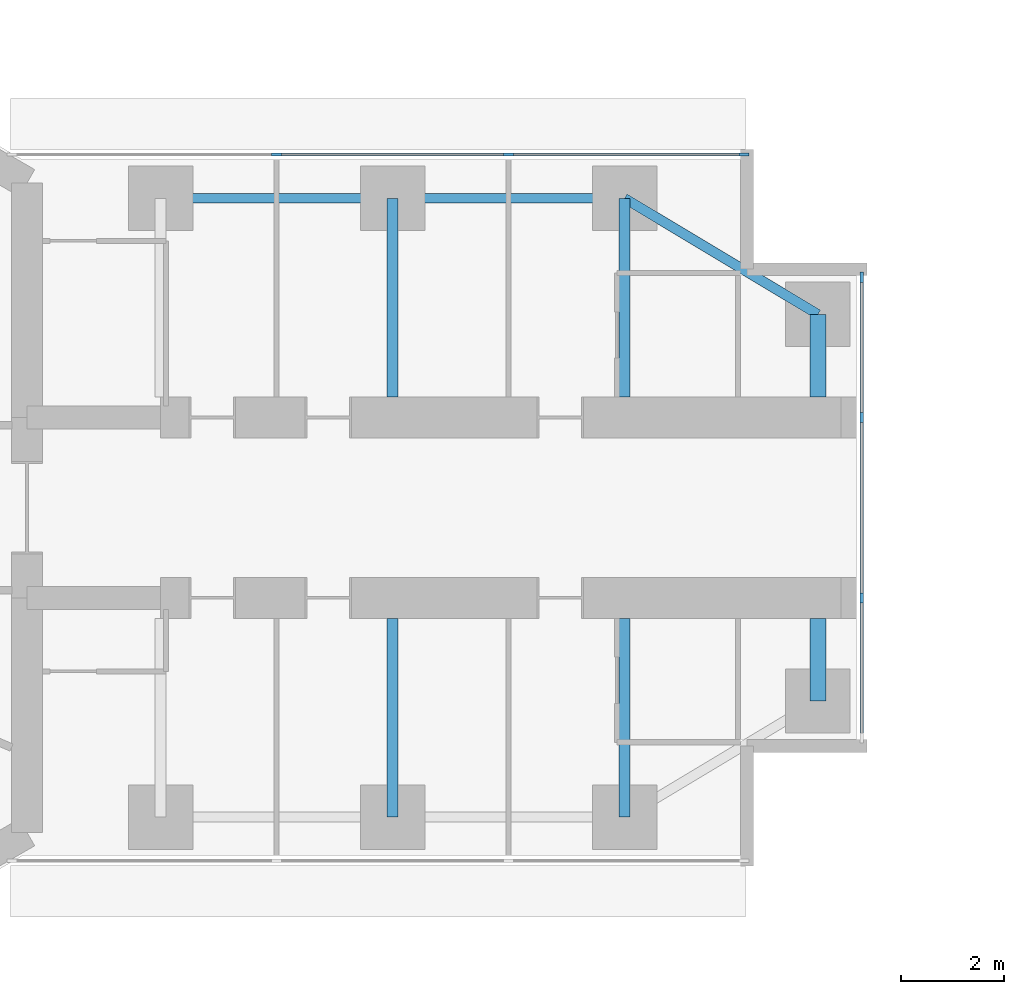
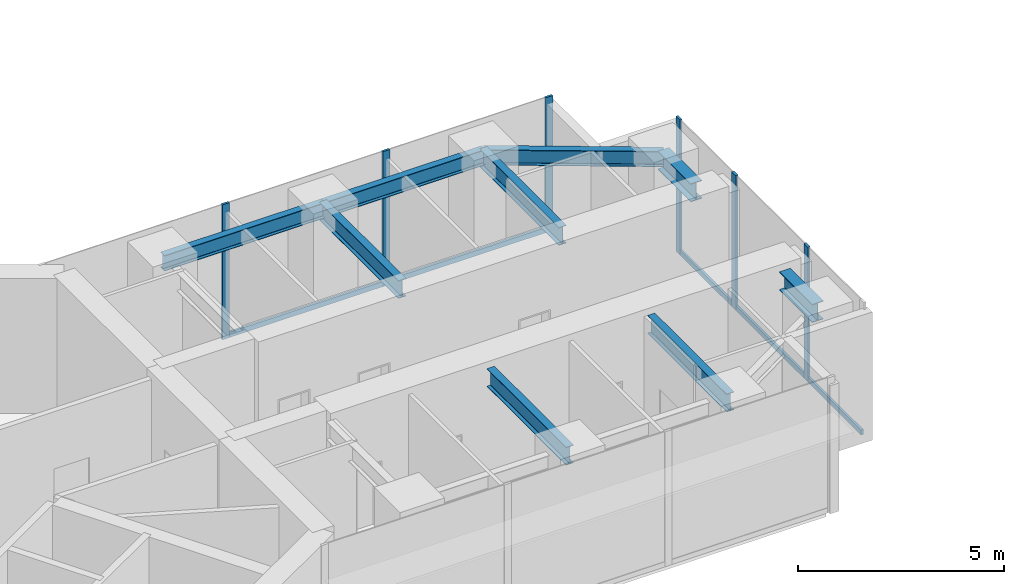
# One storey, part 7 of 23: 11 members, 9 beams, 2 elements without a shape of their own.
"""IFC4 building model written with IfcOpenShell, lengths in metres."""

from ifc_helpers import new_model, si_unit, direction, frame, origin, origin_2d, place, context, subcontext, project, spatial, rectangle, i_section, extrude, material, material_profile, profile_set, type_object, element, aggregate, save


model = new_model("IFC4")

# Units and contexts
model_context = context("Model", 3, precision=1e-05, world=origin(), true_north=direction((0.0, 1.0)))
body_context = subcontext(model_context, "Body", "Model", "MODEL_VIEW")
ifc_project = project(units=[si_unit("LENGTHUNIT", "METRE"), si_unit("AREAUNIT", "SQUARE_METRE"), si_unit("VOLUMEUNIT", "CUBIC_METRE"), si_unit("PLANEANGLEUNIT", "RADIAN"), si_unit("MASSUNIT", "GRAM", prefix="KILO")], contexts=[model_context])

# Site, building, storey
site_placement = place(None, origin())
site = spatial("IfcSite", under=ifc_project, at=site_placement, CompositionType="ELEMENT")
building_placement = place(site_placement, origin())
building = spatial("IfcBuilding", under=site, at=building_placement, Name="Upepo Twin Towers", CompositionType="ELEMENT")
storey_placement = place(building_placement, frame((0.0, 0.0, 145.5)))
storey = spatial("IfcBuildingStorey", under=building, at=storey_placement, Name="L35", CompositionType="ELEMENT", Elevation=145.5)

# Beams
ifc_material_1 = material(Name="Steel S355", Category="steel")
ifc_material_profile_1 = material_profile(ifc_material_1, i_section(OverallWidth=0.1904296875, OverallDepth=0.45703125, WebThickness=0.009033203125, FlangeThickness=0.014404296875, FilletRadius=0.01025390625, at=origin_2d()), Name="UB 457x191x74")
ifc_profile_set_1 = profile_set([ifc_material_profile_1], Name="Steel S355")
beam_type_1 = type_object("IfcBeamType", Name="Beam UB 457x191x74", PredefinedType="BEAM", material=ifc_profile_set_1)
for number, where, z_axis, x_axis, name in (
    (1, (13.5, 6.0, 3.571533203125), (1.0, 0.0, 0.0), (0.0, 1.0, 0.0), "T1 edge beam AL 13.5-18.0"),
    (2, (18.0, 6.0, 3.571533203125), (1.0, 0.0, 0.0), (0.0, 1.0, 0.0), "T1 edge beam AL 18.0-22.5"),
):
    element("IfcBeam", number, at=place(storey_placement, frame(where, z_axis=z_axis, x_axis=x_axis)), inside=storey, type_object=beam_type_1, Name=name, PredefinedType="BEAM", context=body_context, shape_type="SweptSolid", body=[
        extrude(i_section(OverallWidth=0.1904296875, OverallDepth=0.45703125, WebThickness=0.009033203125, FlangeThickness=0.014404296875, FilletRadius=0.01025390625, at=origin_2d()), origin(), (0.0, 0.0, 1.0), 4.5),
    ])
beam_placement = place(storey_placement, frame((22.5, 6.0, 3.571533203125), z_axis=(0.857492925713, -0.514495755428, 0.0), x_axis=(0.514495755428, 0.857492925713, 0.0)))
element("IfcBeam", 3, at=beam_placement, inside=storey, type_object=beam_type_1, Name="T1 nose edge beam AL", PredefinedType="BEAM", context=body_context, shape_type="SweptSolid", body=[
    extrude(i_section(OverallWidth=0.1904296875, OverallDepth=0.45703125, WebThickness=0.009033203125, FlangeThickness=0.014404296875, FilletRadius=0.01025390625, at=origin_2d()), origin(), (0.0, 0.0, 1.0), 4.373291015625),
])
ifc_material_2 = material(Name="Steel S355", Category="steel")
ifc_material_profile_2 = material_profile(ifc_material_2, i_section(OverallWidth=0.209228515625, OverallDepth=0.533203125, WebThickness=0.010009765625, FlangeThickness=0.015625, FilletRadius=0.0126953125, at=origin_2d()), Name="UB 533x210x92")
ifc_profile_set_2 = profile_set([ifc_material_profile_2], Name="Steel S355")
beam_type_2 = type_object("IfcBeamType", Name="Beam UB 533x210x92", PredefinedType="BEAM", material=ifc_profile_set_2)
for number, where, z_axis, x_axis, name in (
    (4, (18.0, 6.0, 3.533447265625), (0.0, -1.0, 0.0), (1.0, 0.0, 0.0), "T1 girder AL at 18.0"),
    (5, (22.5, 6.0, 3.533447265625), (0.0, -1.0, 0.0), (1.0, 0.0, 0.0), "T1 girder AL at 22.5"),
    (6, (18.0, -6.0, 3.533447265625), (0.0, 1.0, 0.0), (-1.0, 0.0, 0.0), "T1 girder AR at 18.0"),
    (7, (22.5, -6.0, 3.533447265625), (0.0, 1.0, 0.0), (-1.0, 0.0, 0.0), "T1 girder AR at 22.5"),
):
    element("IfcBeam", number, at=place(storey_placement, frame(where, z_axis=z_axis, x_axis=x_axis)), inside=storey, type_object=beam_type_2, Name=name, PredefinedType="BEAM", context=body_context, shape_type="SweptSolid", body=[
        extrude(i_section(OverallWidth=0.209228515625, OverallDepth=0.533203125, WebThickness=0.010009765625, FlangeThickness=0.015625, FilletRadius=0.0126953125, at=origin_2d()), origin(), (0.0, 0.0, 1.0), 3.85009765625),
    ])
ifc_material_3 = material(Name="Steel S355", Category="steel")
ifc_material_profile_3 = material_profile(ifc_material_3, i_section(OverallWidth=0.31201171875, OverallDepth=0.54345703125, WebThickness=0.0126953125, FlangeThickness=0.020263671875, FilletRadius=0.0126953125, at=origin_2d()), Name="UB 533x312x150")
ifc_profile_set_3 = profile_set([ifc_material_profile_3], Name="Steel S355")
beam_type_3 = type_object("IfcBeamType", Name="Beam UB 533x312x150", PredefinedType="BEAM", material=ifc_profile_set_3)
for number, where, z_axis, x_axis, name in (
    (8, (26.25, 3.75, 3.5283203125), (0.0, -1.0, 0.0), (1.0, 0.0, 0.0), "T1 nose beam AL"),
    (9, (26.25, -3.75, 3.5283203125), (0.0, 1.0, 0.0), (-1.0, 0.0, 0.0), "T1 nose beam AR"),
):
    element("IfcBeam", number, at=place(storey_placement, frame(where, z_axis=z_axis, x_axis=x_axis)), inside=storey, type_object=beam_type_3, Name=name, PredefinedType="BEAM", context=body_context, shape_type="SweptSolid", body=[
        extrude(i_section(OverallWidth=0.31201171875, OverallDepth=0.54345703125, WebThickness=0.0126953125, FlangeThickness=0.020263671875, FilletRadius=0.0126953125, at=origin_2d()), origin(), (0.0, 0.0, 1.0), 1.60009765625),
    ])

# Curtain wall, members
ifc_material_4 = material(Name="Aluminium and fritted glass", Category="aluminium")
curtain_wall_type = type_object("IfcCurtainWallType", Name="Tower curtain wall TW2, fritted glass", PredefinedType="NOTDEFINED", material=ifc_material_4)
curtain_wall_1_placement = place(storey_placement, origin())
curtain_wall_1 = element("IfcCurtainWall", 10, at=curtain_wall_1_placement, inside=storey, type_object=curtain_wall_type, Name="T1 L35 wing A flank L curtain wall", PredefinedType="NOTDEFINED")
ifc_material_5 = material(Name="Aluminium mullion", Category="aluminium")
ifc_material_profile_4 = material_profile(ifc_material_5, rectangle(XDim=0.06494140625, YDim=0.199951171875, at=origin_2d()), Name="MULLION 65x200")
ifc_profile_set_4 = profile_set([ifc_material_profile_4], Name="Aluminium mullion")
member_type_1 = type_object("IfcMemberType", Name="Mullion 65x200 TW2", PredefinedType="MULLION", material=ifc_profile_set_4)
member_1_placement = place(storey_placement, frame((15.75, 6.85009765625, 0.0), z_axis=(0.0, 0.0, 1.0), x_axis=(0.0, 1.0, 0.0)))
member_1 = element("IfcMember", 11, at=member_1_placement, type_object=member_type_1, Name="T1 L35 wing A flank L curtain wall mullion 2", PredefinedType="MULLION", context=body_context, shape_type="SweptSolid", body=[
    extrude(rectangle(XDim=0.06494140625, YDim=0.199951171875, at=origin_2d()), origin(), (0.0, 0.0, 1.0), 4.0),
])
member_2_placement = place(storey_placement, frame((20.25, 6.85009765625, 0.0), z_axis=(0.0, 0.0, 1.0), x_axis=(0.0, 1.0, 0.0)))
member_2 = element("IfcMember", 12, at=member_2_placement, type_object=member_type_1, Name="T1 L35 wing A flank L curtain wall mullion 3", PredefinedType="MULLION", context=body_context, shape_type="SweptSolid", body=[
    extrude(rectangle(XDim=0.06494140625, YDim=0.199951171875, at=origin_2d()), origin(), (0.0, 0.0, 1.0), 4.0),
])
member_3_placement = place(storey_placement, frame((24.8173828125, 6.85009765625, 0.0), z_axis=(0.0, 0.0, 1.0), x_axis=(0.0, 1.0, 0.0)))
member_3 = element("IfcMember", 13, at=member_3_placement, type_object=member_type_1, Name="T1 L35 wing A flank L curtain wall mullion 4", PredefinedType="MULLION", context=body_context, shape_type="SweptSolid", body=[
    extrude(rectangle(XDim=0.06494140625, YDim=0.199951171875, at=origin_2d()), origin(), (0.0, 0.0, 1.0), 4.0),
])

curtain_wall_2_placement = place(storey_placement, origin())
curtain_wall_2 = element("IfcCurtainWall", 14, at=curtain_wall_2_placement, inside=storey, type_object=curtain_wall_type, Name="T1 L35 wing A nose curtain wall", PredefinedType="NOTDEFINED")
member_4_placement = place(storey_placement, frame((27.10009765625, -1.75, 0.0), z_axis=(0.0, 0.0, 1.0), x_axis=(-1.0, 0.0, 0.0)))
member_4 = element("IfcMember", 15, at=member_4_placement, type_object=member_type_1, Name="T1 L35 wing A nose curtain wall mullion 2", PredefinedType="MULLION", context=body_context, shape_type="SweptSolid", body=[
    extrude(rectangle(XDim=0.06494140625, YDim=0.199951171875, at=origin_2d()), origin(), (0.0, 0.0, 1.0), 4.0),
])
member_5_placement = place(storey_placement, frame((27.10009765625, 1.75, 0.0), z_axis=(0.0, 0.0, 1.0), x_axis=(-1.0, 0.0, 0.0)))
member_5 = element("IfcMember", 16, at=member_5_placement, type_object=member_type_1, Name="T1 L35 wing A nose curtain wall mullion 3", PredefinedType="MULLION", context=body_context, shape_type="SweptSolid", body=[
    extrude(rectangle(XDim=0.06494140625, YDim=0.199951171875, at=origin_2d()), origin(), (0.0, 0.0, 1.0), 4.0),
])
member_6_placement = place(storey_placement, frame((27.10009765625, 4.467529296875, 0.0), z_axis=(0.0, 0.0, 1.0), x_axis=(-1.0, 0.0, 0.0)))
member_6 = element("IfcMember", 17, at=member_6_placement, type_object=member_type_1, Name="T1 L35 wing A nose curtain wall mullion 4", PredefinedType="MULLION", context=body_context, shape_type="SweptSolid", body=[
    extrude(rectangle(XDim=0.06494140625, YDim=0.199951171875, at=origin_2d()), origin(), (0.0, 0.0, 1.0), 4.0),
])

# Member
ifc_material_6 = material(Name="Aluminium transom", Category="aluminium")
ifc_material_profile_5 = material_profile(ifc_material_6, rectangle(XDim=0.06494140625, YDim=0.14990234375, at=origin_2d()), Name="TRANSOM 65x150")
ifc_profile_set_5 = profile_set([ifc_material_profile_5], Name="Aluminium transom")
member_type_2 = type_object("IfcMemberType", Name="Transom 65x150 TW2", PredefinedType="USERDEFINED", material=ifc_profile_set_5)
member_7_placement = place(storey_placement, frame((15.782470703125, 6.85009765625, 0.074951171875), z_axis=(1.0, 0.0, 0.0), x_axis=(0.0, 1.0, 0.0)))
member_7 = element("IfcMember", 18, at=member_7_placement, type_object=member_type_2, Name="T1 L35 wing A flank L curtain wall transom 2", ObjectType="TRANSOM", PredefinedType="USERDEFINED", context=body_context, shape_type="SweptSolid", body=[
    extrude(rectangle(XDim=0.06494140625, YDim=0.14990234375, at=origin_2d()), origin(), (0.0, 0.0, 1.0), 4.43505859375),
])

member_8_placement = place(storey_placement, frame((20.282470703125, 6.85009765625, 0.074951171875), z_axis=(1.0, 0.0, 0.0), x_axis=(0.0, 1.0, 0.0)))
member_8 = element("IfcMember", 19, at=member_8_placement, type_object=member_type_2, Name="T1 L35 wing A flank L curtain wall transom 3", ObjectType="TRANSOM", PredefinedType="USERDEFINED", context=body_context, shape_type="SweptSolid", body=[
    extrude(rectangle(XDim=0.06494140625, YDim=0.14990234375, at=origin_2d()), origin(), (0.0, 0.0, 1.0), 4.50244140625),
])

aggregate(curtain_wall_1, [member_1, member_2, member_3, member_7, member_8])

member_9_placement = place(storey_placement, frame((27.10009765625, -4.43505859375, 0.074951171875), z_axis=(0.0, 1.0, 0.0), x_axis=(-1.0, 0.0, 0.0)))
member_9 = element("IfcMember", 20, at=member_9_placement, type_object=member_type_2, Name="T1 L35 wing A nose curtain wall transom 1", ObjectType="TRANSOM", PredefinedType="USERDEFINED", context=body_context, shape_type="SweptSolid", body=[
    extrude(rectangle(XDim=0.06494140625, YDim=0.14990234375, at=origin_2d()), origin(), (0.0, 0.0, 1.0), 2.652587890625),
])

member_10_placement = place(storey_placement, frame((27.10009765625, -1.717529296875, 0.074951171875), z_axis=(0.0, 1.0, 0.0), x_axis=(-1.0, 0.0, 0.0)))
member_10 = element("IfcMember", 21, at=member_10_placement, type_object=member_type_2, Name="T1 L35 wing A nose curtain wall transom 2", ObjectType="TRANSOM", PredefinedType="USERDEFINED", context=body_context, shape_type="SweptSolid", body=[
    extrude(rectangle(XDim=0.06494140625, YDim=0.14990234375, at=origin_2d()), origin(), (0.0, 0.0, 1.0), 3.43505859375),
])

member_11_placement = place(storey_placement, frame((27.10009765625, 1.782470703125, 0.074951171875), z_axis=(0.0, 1.0, 0.0), x_axis=(-1.0, 0.0, 0.0)))
member_11 = element("IfcMember", 22, at=member_11_placement, type_object=member_type_2, Name="T1 L35 wing A nose curtain wall transom 3", ObjectType="TRANSOM", PredefinedType="USERDEFINED", context=body_context, shape_type="SweptSolid", body=[
    extrude(rectangle(XDim=0.06494140625, YDim=0.14990234375, at=origin_2d()), origin(), (0.0, 0.0, 1.0), 2.652587890625),
])

aggregate(curtain_wall_2, [member_4, member_5, member_6, member_9, member_10, member_11])

save(model, "model.ifc")
